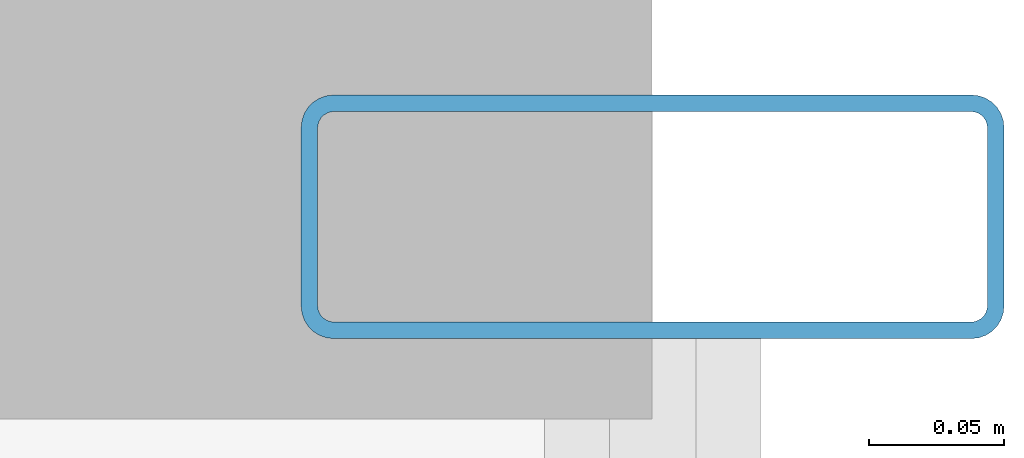
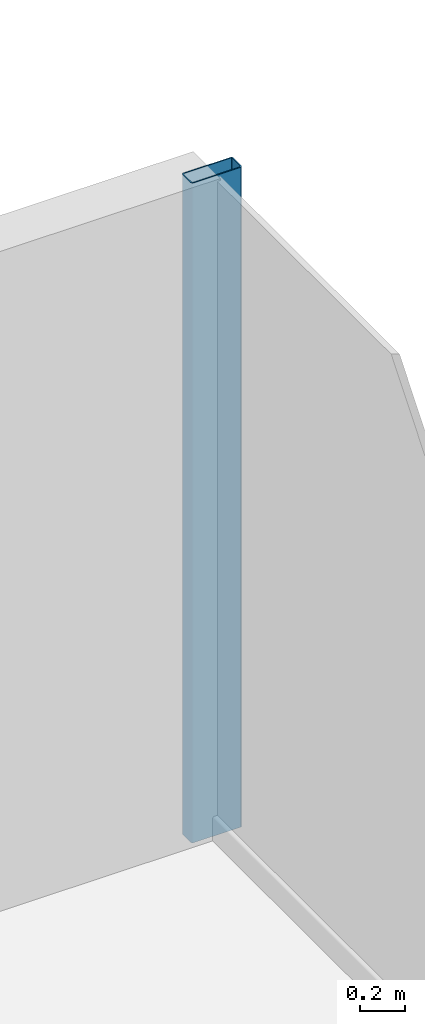
# One storey, part 18 of 25: 1 member, 1 element without a shape of its own.
"""IFC4 building model written with IfcOpenShell, lengths in metres."""

from ifc_helpers import new_model, si_unit, direction, frame, origin, origin_2d, place, context, subcontext, project, spatial, hollow_rectangle, extrude, source, transform, mapped, material, layer, layer_set, material_profile, profile_set, type_object, element, aggregate, save


model = new_model("IFC4")

# Units and contexts
model_context = context("Model", 3, precision=1e-05, world=origin(), true_north=direction((0.0, 1.0)))
body_context = subcontext(model_context, "Body", "Model", "MODEL_VIEW")
ifc_project = project(units=[si_unit("LENGTHUNIT", "METRE"), si_unit("AREAUNIT", "SQUARE_METRE"), si_unit("VOLUMEUNIT", "CUBIC_METRE"), si_unit("PLANEANGLEUNIT", "RADIAN"), si_unit("MASSUNIT", "GRAM", prefix="KILO")], contexts=[model_context])

# Site, building, storey
site_placement = place(None, origin())
site = spatial("IfcSite", under=ifc_project, at=site_placement, CompositionType="ELEMENT")
building_placement = place(site_placement, origin())
building = spatial("IfcBuilding", under=site, at=building_placement, Name="Nefas-Gora Pilgrimage Tower", CompositionType="ELEMENT")
storey_placement = place(building_placement, frame((0.0, 0.0, 74.800048828125)))
storey = spatial("IfcBuildingStorey", under=building, at=storey_placement, Name="L17", CompositionType="ELEMENT", Elevation=74.800048828125)

# Curtain wall, member
ifc_material_1 = material(Name="Dark ceramic-fritted solar-control aluminium-glass curtain wall", Category="aluminium")
ifc_layer = layer(ifc_material_1, 0.219970703125)
ifc_layer_set = layer_set([ifc_layer], Name="Dark ceramic-fritted solar-control aluminium-glass curtain wall")
curtain_wall_type = type_object("IfcCurtainWallType", Name="CW-SYS-2", PredefinedType="NOTDEFINED", material=ifc_layer_set)
curtain_wall_placement = place(storey_placement, origin())
curtain_wall = element("IfcCurtainWall", 1, at=curtain_wall_placement, inside=storey, type_object=curtain_wall_type, Name="L17 Unitised Curtain Wall CW2", PredefinedType="NOTDEFINED")
ifc_material_2 = material(Name="Anodised architectural aluminium", Category="aluminium")
ifc_material_profile = material_profile(ifc_material_2, hollow_rectangle(XDim=0.090087890625, YDim=0.260009765625, WallThickness=0.006103515625, InnerFilletRadius=0.006103515625, OuterFilletRadius=0.011962890625, at=origin_2d()), Name="ALU MULLION 90x260")
ifc_profile_set = profile_set([ifc_material_profile], Name="Anodised architectural aluminium")
member_type = type_object("IfcMemberType", Name="CWM-MUL-2", PredefinedType="MULLION", material=ifc_profile_set)
shared_shape = source(origin(), body_context, "Body", "SweptSolid", [
    extrude(hollow_rectangle(XDim=0.090087890625, YDim=0.260009765625, WallThickness=0.006103515625, InnerFilletRadius=0.006103515625, OuterFilletRadius=0.011962890625, at=origin_2d()), origin(), (0.0, 0.0, 1.0), 3.550048828125),
])
member_placement = place(storey_placement, frame((34.27001953125, 17.574951171875, 0.0), z_axis=(0.0, 0.0, 1.0), x_axis=(0.0, 1.0, 0.0)))
member = element("IfcMember", 2, at=member_placement, type_object=member_type, Name="CW2 Mullion 2", PredefinedType="MULLION", context=body_context, shape_type="MappedRepresentation", body=[
    mapped(shared_shape, transform((0.0, 0.0, 0.0), x_axis=(1.0, 0.0, 0.0), y_axis=(0.0, 1.0, 0.0), z_axis=(0.0, 0.0, 1.0), scale=1.0)),
])
aggregate(curtain_wall, [member])

save(model, "model.ifc")
